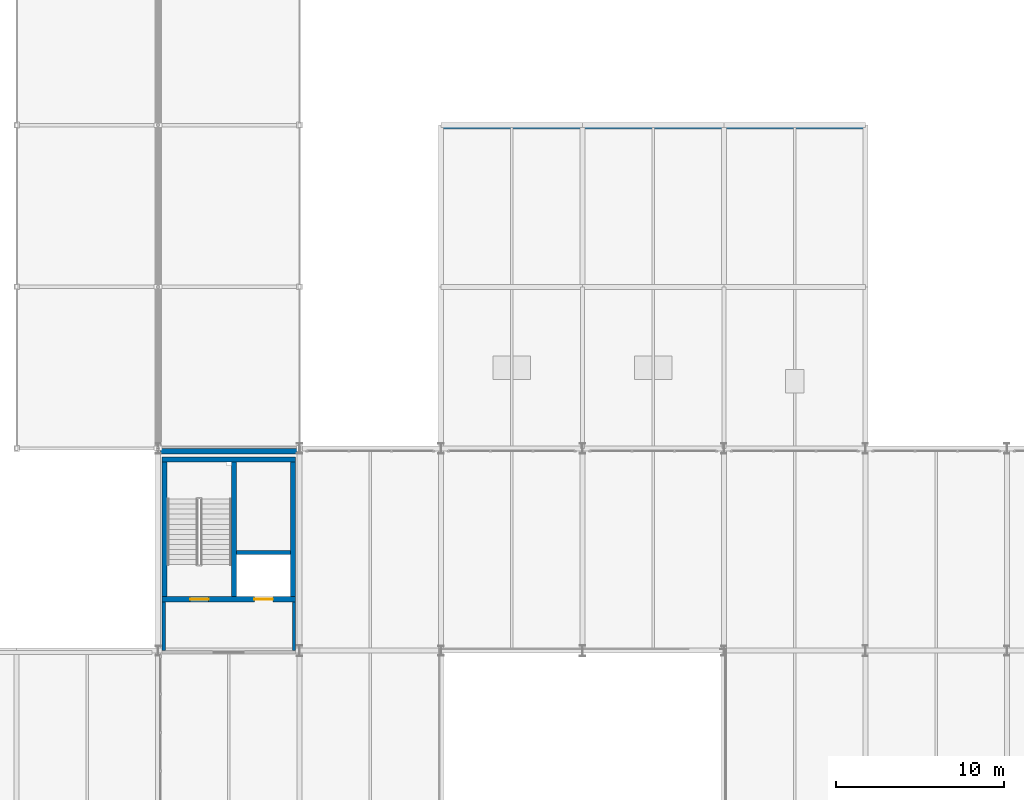
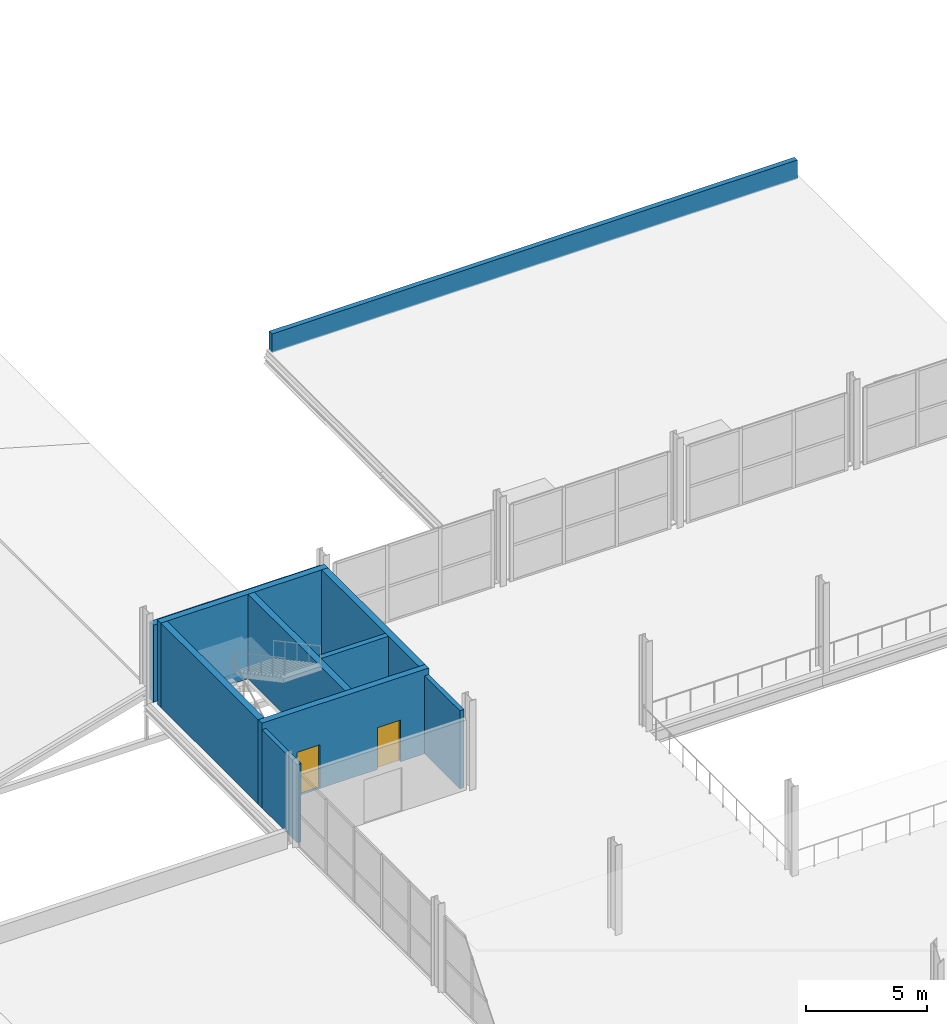
# One storey, part 121 of 130: 10 walls, 2 doors, 2 openings.
"""IFC4 building model written with IfcOpenShell, lengths in metres."""

from ifc_helpers import new_model, si_unit, direction, frame, frame_2d, origin, place, context, subcontext, project, spatial, rectangle, extrude, material, layer, layer_set, type_object, element, fill, save


model = new_model("IFC4")

# Units and contexts
model_context = context("Model", 3, precision=1e-05, world=origin(), true_north=direction((0.0, 1.0)))
body_context = subcontext(model_context, "Body", "Model", "MODEL_VIEW")
ifc_project = project(units=[si_unit("LENGTHUNIT", "METRE"), si_unit("AREAUNIT", "SQUARE_METRE"), si_unit("VOLUMEUNIT", "CUBIC_METRE"), si_unit("PLANEANGLEUNIT", "RADIAN"), si_unit("MASSUNIT", "GRAM", prefix="KILO")], contexts=[model_context])

# Site, building, storey
site_placement = place(None, origin())
site = spatial("IfcSite", under=ifc_project, at=site_placement, CompositionType="ELEMENT")
building_placement = place(site_placement, origin())
building = spatial("IfcBuilding", under=site, at=building_placement, Name="Veltarok Museum of Natural Sciences", CompositionType="ELEMENT")
storey_placement = place(building_placement, frame((0.0, 0.0, 12.89990234375)))
storey = spatial("IfcBuildingStorey", under=building, at=storey_placement, Name="L02", CompositionType="ELEMENT", Elevation=12.89990234375)

# Walls
ifc_material_1 = material(Name="Concrete C35/45", Category="concrete")
ifc_layer_1 = layer(ifc_material_1, 0.199951171875)
ifc_layer_set_1 = layer_set([ifc_layer_1], Name="Concrete C35/45")
wall_type_1 = type_object("IfcWallType", Name="Firefighting Lobby Compartment Wall 200", PredefinedType="SOLIDWALL", material=ifc_layer_set_1)
for number, where, z_axis, x_axis, name in (
    (1, (40.330078125, 60.0, 0.0), (0.0, 0.0, 1.0), (0.0, 1.0, 0.0), "Firefighting Lobby Wall C3 L02 W"),
    (2, (48.070068359375, 62.89990234375, 0.0), (0.0, 0.0, 1.0), (0.0, -1.0, 0.0), "Firefighting Lobby Wall C3 L02 E"),
):
    element("IfcWall", number, at=place(storey_placement, frame(where, z_axis=z_axis, x_axis=x_axis)), inside=storey, type_object=wall_type_1, Name=name, PredefinedType="SOLIDWALL", context=body_context, shape_type="SweptSolid", body=[
        extrude(rectangle(XDim=2.89990234375, YDim=0.199951171875, at=frame_2d((1.449951171875, 0.0))), origin(), (0.0, 0.0, 1.0), 3.922119140625),
    ])
ifc_material_2 = material(Name="Precast concrete C40/50", Category="concrete")
ifc_layer_2 = layer(ifc_material_2, 0.239990234375)
ifc_layer_set_2 = layer_set([ifc_layer_2], Name="Precast concrete C40/50")
wall_type_2 = type_object("IfcWallType", Name="Flat Roof Concrete Parapet Wall 240", PredefinedType="PARAPET", material=ifc_layer_set_2)
wall_1_placement = place(storey_placement, frame((56.919921875, 91.080078125, 0.0), z_axis=(0.0, 0.0, 1.0), x_axis=(1.0, 0.0, 0.0)))
element("IfcWall", 3, at=wall_1_placement, inside=storey, type_object=wall_type_2, Name="Roof Parapet Wall L02-07", PredefinedType="PARAPET", context=body_context, shape_type="SweptSolid", body=[
    extrude(rectangle(XDim=24.9599609375, YDim=0.239990234375, at=frame_2d((12.47998046875, 0.0))), origin(), (0.0, 0.0, 1.0), 0.9501953125),
])
ifc_layer_3 = layer(ifc_material_2, 0.320068359375)
ifc_layer_set_3 = layer_set([ifc_layer_3], Name="Precast concrete C40/50")
wall_type_3 = type_object("IfcWallType", Name="Insulated Precast Facade Wall 320", PredefinedType="SOLIDWALL", material=ifc_layer_set_3)
wall_2_placement = place(storey_placement, frame((48.25, 71.840087890625, 0.0), z_axis=(0.0, 0.0, 1.0), x_axis=(-1.0, 0.0, 0.0)))
element("IfcWall", 4, at=wall_2_placement, inside=storey, type_object=wall_type_3, Name="Core C3 North Exterior Facade Wall L02", PredefinedType="SOLIDWALL", context=body_context, shape_type="SweptSolid", body=[
    extrude(rectangle(XDim=8.10009765625, YDim=0.320068359375, at=frame_2d((4.050048828125, 0.0))), origin(), (0.0, 0.0, 1.0), 3.880126953125),
])
ifc_material_3 = material(Name="Concrete C40/50", Category="concrete")
ifc_layer_4 = layer(ifc_material_3, 0.25)
ifc_layer_set_4 = layer_set([ifc_layer_4], Name="Concrete C40/50")
wall_type_4 = type_object("IfcWallType", Name="Lift Shaft Concrete Shear Wall 250", PredefinedType="SHEAR", material=ifc_layer_set_4)
wall_3_placement = place(storey_placement, frame((44.669921875, 65.824951171875, 0.0), z_axis=(0.0, 0.0, 1.0), x_axis=(1.0, 0.0, 0.0)))
element("IfcWall", 5, at=wall_3_placement, inside=storey, type_object=wall_type_4, Name="Lift Shaft Back Wall C3 L02", PredefinedType="SHEAR", context=body_context, shape_type="SweptSolid", body=[
    extrude(rectangle(XDim=3.2001953125, YDim=0.25, at=frame_2d((1.60009765625, 0.0))), origin(), (0.0, 0.0, 1.0), 4.25),
])

# Wall, openings, doors
ifc_layer_5 = layer(ifc_material_3, 0.300048828125)
ifc_layer_set_5 = layer_set([ifc_layer_5], Name="Concrete C40/50")
wall_type_5 = type_object("IfcWallType", Name="Protected Core Shear Wall 300", PredefinedType="SHEAR", material=ifc_layer_set_5)
wall_4_placement = place(storey_placement, frame((40.22998046875, 63.050048828125, 0.0), z_axis=(0.0, 0.0, 1.0), x_axis=(1.0, 0.0, 0.0)))
wall_4 = element("IfcWall", 6, at=wall_4_placement, inside=storey, type_object=wall_type_5, Name="Core Shear Wall C3 L02 S", PredefinedType="SHEAR", context=body_context, shape_type="SweptSolid", body=[
    extrude(rectangle(XDim=7.93994140625, YDim=0.300048828125, at=frame_2d((3.969970703125, 0.0))), origin(), (0.0, 0.0, 1.0), 4.25),
])
opening_1_placement = place(wall_4_placement, frame((1.669921875, 0.0, 0.0)))
opening_1 = element("IfcOpeningElement", 7, at=opening_1_placement, cuts=wall_4, Name="Opening D-L02-039", PredefinedType="OPENING", context=body_context, shape_type="SweptSolid", body=[
    extrude(rectangle(XDim=1.10009765625, YDim=2.199951171875, at=frame_2d((0.550048828125, 1.10009765625))), frame((0.0, 0.16015625, 0.0), z_axis=(0.0, -1.0, 0.0), x_axis=(1.0, 0.0, 0.0)), (0.0, 0.0, 1.0), 0.320068359375),
])
opening_2_placement = place(wall_4_placement, frame((5.489990234375, 0.0, 0.0)))
opening_2 = element("IfcOpeningElement", 8, at=opening_2_placement, cuts=wall_4, Name="Opening LD-L02-LP-03", PredefinedType="OPENING", context=body_context, shape_type="SweptSolid", body=[
    extrude(rectangle(XDim=1.10009765625, YDim=2.10009765625, at=frame_2d((0.550048828125, 1.050048828125))), frame((0.0, 0.16015625, 0.0), z_axis=(0.0, -1.0, 0.0), x_axis=(1.0, 0.0, 0.0)), (0.0, 0.0, 1.0), 0.320068359375),
])
ifc_material_4 = material(Name="Fire-rated painted steel", Category="steel")
door_type_1 = type_object("IfcDoorType", Name="Fire Core Single Escape Door 1100x2200", OperationType="NOTDEFINED", PredefinedType="DOOR", material=ifc_material_4)
door_1_placement = place(opening_1_placement, origin())
door_1 = element("IfcDoor", 9, at=door_1_placement, inside=storey, type_object=door_type_1, Name="Protected Stair Door ST-03 L02", OperationType="SINGLE_SWING_LEFT", OverallHeight=2.199951171875, OverallWidth=1.10009765625, PredefinedType="DOOR", context=body_context, shape_type="SweptSolid", body=[
    extrude(rectangle(XDim=1.10009765625, YDim=2.199951171875, at=frame_2d((0.550048828125, 1.10009765625))), frame((0.0, 0.02490234375, 0.0), z_axis=(0.0, -1.0, 0.0), x_axis=(1.0, 0.0, 0.0)), (0.0, 0.0, 1.0), 0.050048828125),
])
fill(opening_1, door_1)
ifc_material_5 = material(Name="Brushed stainless steel", Category="steel")
door_type_2 = type_object("IfcDoorType", Name="Passenger and Firefighting Lift Landing Door 1100x2100", OperationType="SLIDING_TO_LEFT", PredefinedType="DOOR", material=ifc_material_5)
door_2_placement = place(opening_2_placement, origin())
door_2 = element("IfcDoor", 10, at=door_2_placement, inside=storey, type_object=door_type_2, Name="Sliding Lift Landing Door LD-L02-LP-03", OperationType="SLIDING_TO_LEFT", OverallHeight=2.10009765625, OverallWidth=1.10009765625, PredefinedType="DOOR", context=body_context, shape_type="SweptSolid", body=[
    extrude(rectangle(XDim=1.10009765625, YDim=2.10009765625, at=frame_2d((0.550048828125, 1.050048828125))), frame((0.0, 0.02490234375, 0.0), z_axis=(0.0, -1.0, 0.0), x_axis=(1.0, 0.0, 0.0)), (0.0, 0.0, 1.0), 0.050048828125),
])
fill(opening_2, door_2)

# Walls
wall_5_placement = place(storey_placement, frame((48.169921875, 71.35009765625, 0.0), z_axis=(0.0, 0.0, 1.0), x_axis=(-1.0, 0.0, 0.0)))
element("IfcWall", 11, at=wall_5_placement, inside=storey, type_object=wall_type_5, Name="Core Shear Wall C3 L02 N", PredefinedType="SHEAR", context=body_context, shape_type="SweptSolid", body=[
    extrude(rectangle(XDim=7.93994140625, YDim=0.300048828125, at=frame_2d((3.969970703125, 0.0))), origin(), (0.0, 0.0, 1.0), 4.25),
])
for number, where, z_axis, x_axis, name in (
    (12, (40.3798828125, 71.199951171875, 0.0), (0.0, 0.0, 1.0), (0.0, -1.0, 0.0), "Core Shear Wall C3 L02 W"),
    (13, (48.02001953125, 63.199951171875, 0.0), (0.0, 0.0, 1.0), (0.0, 1.0, 0.0), "Core Shear Wall C3 L02 E"),
    (14, (44.52001953125, 63.199951171875, 0.0), (0.0, 0.0, 1.0), (0.0, 1.0, 0.0), "Core Shear Wall C3 L02 DIV"),
):
    element("IfcWall", number, at=place(storey_placement, frame(where, z_axis=z_axis, x_axis=x_axis)), inside=storey, type_object=wall_type_5, Name=name, PredefinedType="SHEAR", context=body_context, shape_type="SweptSolid", body=[
        extrude(rectangle(XDim=8.0, YDim=0.300048828125, at=frame_2d((4.0, 0.0))), origin(), (0.0, 0.0, 1.0), 4.25),
    ])

save(model, "model.ifc")
